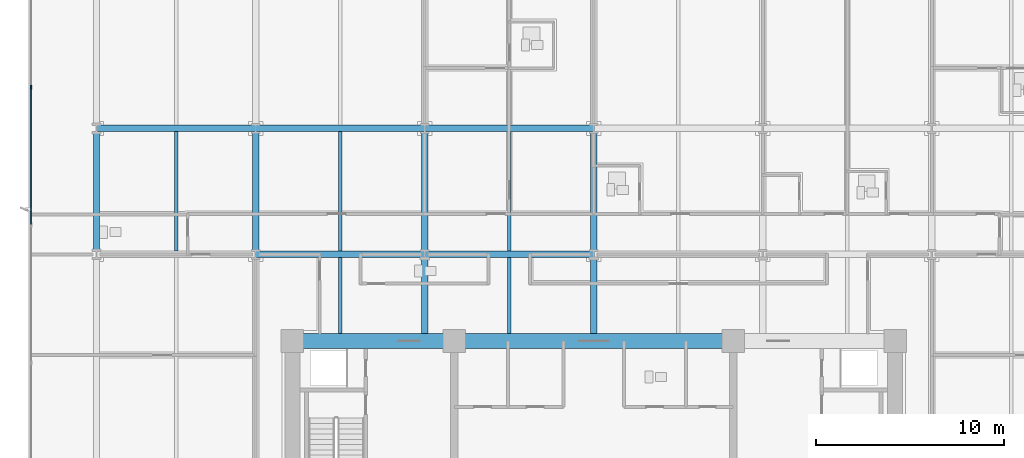
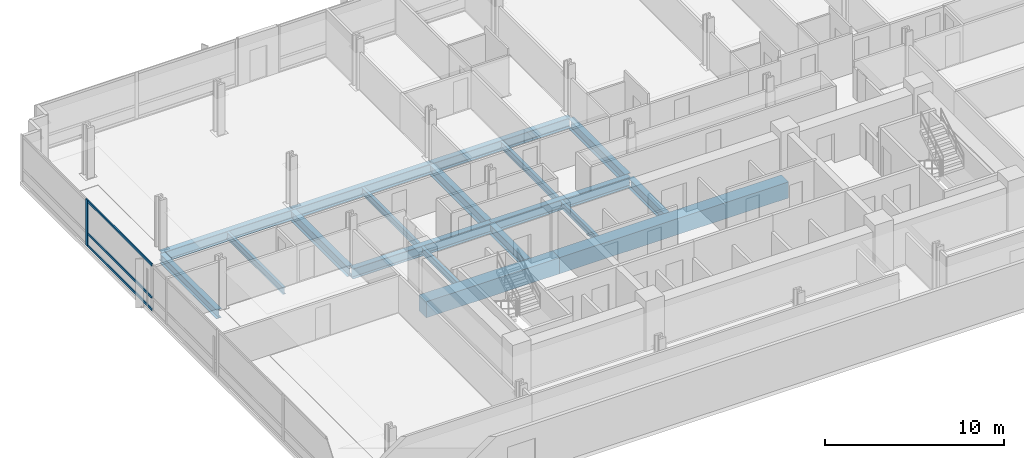
# One storey, part 3 of 17: 18 beams, 4 members, 1 element without a shape of its own.
"""IFC4 building model written with IfcOpenShell, lengths in metres."""

from ifc_helpers import new_model, si_unit, direction, frame, origin, origin_2d, place, context, subcontext, project, spatial, rectangle, i_section, extrude, material, material_profile, profile_set, type_object, element, aggregate, save


model = new_model("IFC4")

# Units and contexts
model_context = context("Model", 3, precision=1e-05, world=origin(), true_north=direction((0.0, 1.0)))
body_context = subcontext(model_context, "Body", "Model", "MODEL_VIEW")
ifc_project = project(units=[si_unit("LENGTHUNIT", "METRE"), si_unit("AREAUNIT", "SQUARE_METRE"), si_unit("VOLUMEUNIT", "CUBIC_METRE"), si_unit("PLANEANGLEUNIT", "RADIAN"), si_unit("MASSUNIT", "GRAM", prefix="KILO")], contexts=[model_context])

# Site, building, storey
site_placement = place(None, origin())
site = spatial("IfcSite", under=ifc_project, at=site_placement, CompositionType="ELEMENT")
building_placement = place(site_placement, origin())
building = spatial("IfcBuilding", under=site, at=building_placement, Name="Solmavex Isthmus Hotel", CompositionType="ELEMENT")
storey_placement = place(building_placement, frame((0.0, 0.0, 47.10009765625)))
storey = spatial("IfcBuildingStorey", under=building, at=storey_placement, Name="L12", CompositionType="ELEMENT", Elevation=47.10009765625)

# Beams
ifc_material_1 = material(Name="Steel ASTM A992 Grade 50", Category="steel")
ifc_material_profile_1 = material_profile(ifc_material_1, i_section(OverallWidth=0.354736328125, OverallDepth=0.695556640625, WebThickness=0.015380859375, FlangeThickness=0.02490234375, FilletRadius=0.017822265625, at=origin_2d()), Name="W27X146")
ifc_profile_set_1 = profile_set([ifc_material_profile_1], Name="Steel ASTM A992 Grade 50")
beam_type_1 = type_object("IfcBeamType", Name="BM-BG-W27X146", PredefinedType="BEAM", material=ifc_profile_set_1)
beam_1_placement = place(storey_placement, frame((-17.951904296875, 2.10009765625, -0.60791015625), z_axis=(1.0, 0.0, 0.0), x_axis=(0.0, 1.0, 0.0)))
element("IfcBeam", 1, at=beam_1_placement, inside=storey, type_object=beam_type_1, Name="Floor Girder L12-UG08", PredefinedType="BEAM", context=body_context, shape_type="SweptSolid", body=[
    extrude(i_section(OverallWidth=0.354736328125, OverallDepth=0.695556640625, WebThickness=0.015380859375, FlangeThickness=0.02490234375, FilletRadius=0.017822265625, at=origin_2d()), origin(), (0.0, 0.0, 1.0), 8.975830078125),
])
beam_2_placement = place(storey_placement, frame((-8.97607421875, 2.10009765625, -0.60791015625), z_axis=(1.0, 0.0, 0.0), x_axis=(0.0, 1.0, 0.0)))
element("IfcBeam", 2, at=beam_2_placement, inside=storey, type_object=beam_type_1, Name="Floor Girder L12-UG09", PredefinedType="BEAM", context=body_context, shape_type="SweptSolid", body=[
    extrude(i_section(OverallWidth=0.354736328125, OverallDepth=0.695556640625, WebThickness=0.015380859375, FlangeThickness=0.02490234375, FilletRadius=0.017822265625, at=origin_2d()), origin(), (0.0, 0.0, 1.0), 8.97607421875),
])
beam_3_placement = place(storey_placement, frame((-26.39990234375, 8.7880859375, -0.60791015625), z_axis=(1.0, 0.0, 0.0), x_axis=(0.0, 1.0, 0.0)))
element("IfcBeam", 3, at=beam_3_placement, inside=storey, type_object=beam_type_1, Name="Floor Girder L12-UG13", PredefinedType="BEAM", context=body_context, shape_type="SweptSolid", body=[
    extrude(i_section(OverallWidth=0.354736328125, OverallDepth=0.695556640625, WebThickness=0.015380859375, FlangeThickness=0.02490234375, FilletRadius=0.017822265625, at=origin_2d()), origin(), (0.0, 0.0, 1.0), 8.447998046875),
])
beam_4_placement = place(storey_placement, frame((-17.951904296875, 8.7880859375, -0.60791015625), z_axis=(1.0, 0.0, 0.0), x_axis=(0.0, 1.0, 0.0)))
element("IfcBeam", 4, at=beam_4_placement, inside=storey, type_object=beam_type_1, Name="Floor Girder L12-UG14", PredefinedType="BEAM", context=body_context, shape_type="SweptSolid", body=[
    extrude(i_section(OverallWidth=0.354736328125, OverallDepth=0.695556640625, WebThickness=0.015380859375, FlangeThickness=0.02490234375, FilletRadius=0.017822265625, at=origin_2d()), origin(), (0.0, 0.0, 1.0), 8.975830078125),
])
beam_5_placement = place(storey_placement, frame((-8.97607421875, 8.7880859375, -0.60791015625), z_axis=(1.0, 0.0, 0.0), x_axis=(0.0, 1.0, 0.0)))
element("IfcBeam", 5, at=beam_5_placement, inside=storey, type_object=beam_type_1, Name="Floor Girder L12-UG15", PredefinedType="BEAM", context=body_context, shape_type="SweptSolid", body=[
    extrude(i_section(OverallWidth=0.354736328125, OverallDepth=0.695556640625, WebThickness=0.015380859375, FlangeThickness=0.02490234375, FilletRadius=0.017822265625, at=origin_2d()), origin(), (0.0, 0.0, 1.0), 8.97607421875),
])
beam_6_placement = place(storey_placement, frame((-17.951904296875, 2.27734375, -0.60791015625), z_axis=(0.0, 1.0, 0.0), x_axis=(-1.0, 0.0, 0.0)))
element("IfcBeam", 6, at=beam_6_placement, inside=storey, type_object=beam_type_1, Name="Floor Beam L12-VG29", PredefinedType="BEAM", context=body_context, shape_type="SweptSolid", body=[
    extrude(i_section(OverallWidth=0.354736328125, OverallDepth=0.695556640625, WebThickness=0.015380859375, FlangeThickness=0.02490234375, FilletRadius=0.017822265625, at=origin_2d()), origin(), (0.0, 0.0, 1.0), 6.333251953125),
])
beam_7_placement = place(storey_placement, frame((-8.97607421875, -2.10009765625, -0.60791015625), z_axis=(0.0, 1.0, 0.0), x_axis=(-1.0, 0.0, 0.0)))
element("IfcBeam", 7, at=beam_7_placement, inside=storey, type_object=beam_type_1, Name="Floor Beam L12-VG32", PredefinedType="BEAM", context=body_context, shape_type="SweptSolid", body=[
    extrude(i_section(OverallWidth=0.354736328125, OverallDepth=0.695556640625, WebThickness=0.015380859375, FlangeThickness=0.02490234375, FilletRadius=0.017822265625, at=origin_2d()), origin(), (0.0, 0.0, 1.0), 4.022705078125),
])
beam_8_placement = place(storey_placement, frame((-8.97607421875, 2.27734375, -0.60791015625), z_axis=(0.0, 1.0, 0.0), x_axis=(-1.0, 0.0, 0.0)))
element("IfcBeam", 8, at=beam_8_placement, inside=storey, type_object=beam_type_1, Name="Floor Beam L12-VG33", PredefinedType="BEAM", context=body_context, shape_type="SweptSolid", body=[
    extrude(i_section(OverallWidth=0.354736328125, OverallDepth=0.695556640625, WebThickness=0.015380859375, FlangeThickness=0.02490234375, FilletRadius=0.017822265625, at=origin_2d()), origin(), (0.0, 0.0, 1.0), 6.333251953125),
])
beam_9_placement = place(storey_placement, frame((0.0, -2.10009765625, -0.60791015625), z_axis=(0.0, 1.0, 0.0), x_axis=(-1.0, 0.0, 0.0)))
element("IfcBeam", 9, at=beam_9_placement, inside=storey, type_object=beam_type_1, Name="Floor Beam L12-VG36", PredefinedType="BEAM", context=body_context, shape_type="SweptSolid", body=[
    extrude(i_section(OverallWidth=0.354736328125, OverallDepth=0.695556640625, WebThickness=0.015380859375, FlangeThickness=0.02490234375, FilletRadius=0.017822265625, at=origin_2d()), origin(), (0.0, 0.0, 1.0), 4.022705078125),
])
beam_10_placement = place(storey_placement, frame((0.0, 2.27734375, -0.60791015625), z_axis=(0.0, 1.0, 0.0), x_axis=(-1.0, 0.0, 0.0)))
element("IfcBeam", 10, at=beam_10_placement, inside=storey, type_object=beam_type_1, Name="Floor Beam L12-VG37", PredefinedType="BEAM", context=body_context, shape_type="SweptSolid", body=[
    extrude(i_section(OverallWidth=0.354736328125, OverallDepth=0.695556640625, WebThickness=0.015380859375, FlangeThickness=0.02490234375, FilletRadius=0.017822265625, at=origin_2d()), origin(), (0.0, 0.0, 1.0), 6.333251953125),
])
ifc_material_profile_2 = material_profile(ifc_material_1, i_section(OverallWidth=0.1904296875, OverallDepth=0.456787109375, WebThickness=0.009033203125, FlangeThickness=0.014404296875, FilletRadius=0.0126953125, at=origin_2d()), Name="W18X50")
ifc_profile_set_2 = profile_set([ifc_material_profile_2], Name="Steel ASTM A992 Grade 50")
beam_type_2 = type_object("IfcBeamType", Name="BM-BJ-W18X50", PredefinedType="JOIST", material=ifc_profile_set_2)
beam_11_placement = place(storey_placement, frame((-22.176025390625, 2.27734375, -0.488525390625), z_axis=(0.0, 1.0, 0.0), x_axis=(-1.0, 0.0, 0.0)))
element("IfcBeam", 11, at=beam_11_placement, inside=storey, type_object=beam_type_2, Name="Secondary Floor Joist L12-J02", PredefinedType="JOIST", context=body_context, shape_type="SweptSolid", body=[
    extrude(i_section(OverallWidth=0.1904296875, OverallDepth=0.456787109375, WebThickness=0.009033203125, FlangeThickness=0.014404296875, FilletRadius=0.0126953125, at=origin_2d()), origin(), (0.0, 0.0, 1.0), 6.333251953125),
])
beam_12_placement = place(storey_placement, frame((-13.464111328125, -2.10009765625, -0.488525390625), z_axis=(0.0, 1.0, 0.0), x_axis=(-1.0, 0.0, 0.0)))
element("IfcBeam", 12, at=beam_12_placement, inside=storey, type_object=beam_type_2, Name="Secondary Floor Joist L12-J05", PredefinedType="JOIST", context=body_context, shape_type="SweptSolid", body=[
    extrude(i_section(OverallWidth=0.1904296875, OverallDepth=0.456787109375, WebThickness=0.009033203125, FlangeThickness=0.014404296875, FilletRadius=0.0126953125, at=origin_2d()), origin(), (0.0, 0.0, 1.0), 4.022705078125),
])
beam_13_placement = place(storey_placement, frame((-13.464111328125, 2.27734375, -0.488525390625), z_axis=(0.0, 1.0, 0.0), x_axis=(-1.0, 0.0, 0.0)))
element("IfcBeam", 13, at=beam_13_placement, inside=storey, type_object=beam_type_2, Name="Secondary Floor Joist L12-J06", PredefinedType="JOIST", context=body_context, shape_type="SweptSolid", body=[
    extrude(i_section(OverallWidth=0.1904296875, OverallDepth=0.456787109375, WebThickness=0.009033203125, FlangeThickness=0.014404296875, FilletRadius=0.0126953125, at=origin_2d()), origin(), (0.0, 0.0, 1.0), 6.333251953125),
])
beam_14_placement = place(storey_placement, frame((-4.488037109375, -2.10009765625, -0.488525390625), z_axis=(0.0, 1.0, 0.0), x_axis=(-1.0, 0.0, 0.0)))
element("IfcBeam", 14, at=beam_14_placement, inside=storey, type_object=beam_type_2, Name="Secondary Floor Joist L12-J09", PredefinedType="JOIST", context=body_context, shape_type="SweptSolid", body=[
    extrude(i_section(OverallWidth=0.1904296875, OverallDepth=0.456787109375, WebThickness=0.009033203125, FlangeThickness=0.014404296875, FilletRadius=0.0126953125, at=origin_2d()), origin(), (0.0, 0.0, 1.0), 4.022705078125),
])
beam_15_placement = place(storey_placement, frame((-4.488037109375, 2.27734375, -0.488525390625), z_axis=(0.0, 1.0, 0.0), x_axis=(-1.0, 0.0, 0.0)))
element("IfcBeam", 15, at=beam_15_placement, inside=storey, type_object=beam_type_2, Name="Secondary Floor Joist L12-J10", PredefinedType="JOIST", context=body_context, shape_type="SweptSolid", body=[
    extrude(i_section(OverallWidth=0.1904296875, OverallDepth=0.456787109375, WebThickness=0.009033203125, FlangeThickness=0.014404296875, FilletRadius=0.0126953125, at=origin_2d()), origin(), (0.0, 0.0, 1.0), 6.333251953125),
])
ifc_material_2 = material(Name="Concrete C70/85", Category="concrete")
ifc_material_profile_3 = material_profile(ifc_material_2, rectangle(XDim=0.800048828125, YDim=1.10009765625, at=origin_2d()), Name="RC800X1100")
ifc_profile_set_3 = profile_set([ifc_material_profile_3], Name="Concrete C70/85")
beam_type_3 = type_object("IfcBeamType", Name="BM-CB-800X1100", PredefinedType="BEAM", material=ifc_profile_set_3)
beam_16_placement = place(storey_placement, frame((-16.0, -2.5, -0.81005859375), z_axis=(1.0, 0.0, 0.0), x_axis=(0.0, 1.0, 0.0)))
element("IfcBeam", 16, at=beam_16_placement, inside=storey, type_object=beam_type_3, Name="Core Coupling Beam L12-CB4", PredefinedType="BEAM", context=body_context, shape_type="SweptSolid", body=[
    extrude(rectangle(XDim=0.800048828125, YDim=1.10009765625, at=origin_2d()), origin(), (0.0, 0.0, 1.0), 8.60009765625),
])
beam_17_placement = place(storey_placement, frame((-7.39990234375, -2.5, -0.81005859375), z_axis=(1.0, 0.0, 0.0), x_axis=(0.0, 1.0, 0.0)))
element("IfcBeam", 17, at=beam_17_placement, inside=storey, type_object=beam_type_3, Name="Core Coupling Beam L12-CB5", PredefinedType="BEAM", context=body_context, shape_type="SweptSolid", body=[
    extrude(rectangle(XDim=0.800048828125, YDim=1.10009765625, at=origin_2d()), origin(), (0.0, 0.0, 1.0), 14.7998046875),
])
ifc_material_profile_4 = material_profile(ifc_material_1, i_section(OverallWidth=0.326416015625, OverallDepth=0.621826171875, WebThickness=0.015380859375, FlangeThickness=0.0244140625, FilletRadius=0.01513671875, at=origin_2d()), Name="W24X131")
ifc_profile_set_4 = profile_set([ifc_material_profile_4], Name="Steel ASTM A992 Grade 50")
beam_type_4 = type_object("IfcBeamType", Name="BM-SP-W24X131", PredefinedType="SPANDREL", material=ifc_profile_set_4)
beam_18_placement = place(storey_placement, frame((-26.39990234375, 2.27734375, -0.571044921875), z_axis=(0.0, 1.0, 0.0), x_axis=(-1.0, 0.0, 0.0)))
element("IfcBeam", 18, at=beam_18_placement, inside=storey, type_object=beam_type_4, Name="Floor Beam L12-VG26", PredefinedType="SPANDREL", context=body_context, shape_type="SweptSolid", body=[
    extrude(i_section(OverallWidth=0.326416015625, OverallDepth=0.621826171875, WebThickness=0.015380859375, FlangeThickness=0.0244140625, FilletRadius=0.01513671875, at=origin_2d()), origin(), (0.0, 0.0, 1.0), 6.333251953125),
])

# Curtain wall, members
ifc_material_3 = material(Name="Aluminium alloy 6063-T6", Category="aluminium")
curtain_wall_type = type_object("IfcCurtainWallType", Name="CW-SYS-02", PredefinedType="NOTDEFINED", material=ifc_material_3)
curtain_wall_placement = place(storey_placement, origin())
curtain_wall = element("IfcCurtainWall", 19, at=curtain_wall_placement, inside=storey, type_object=curtain_wall_type, Name="Stick Curtain Wall CWL-L12-W1", PredefinedType="NOTDEFINED")
ifc_material_profile_5 = material_profile(ifc_material_3, rectangle(XDim=0.074951171875, YDim=0.219970703125, at=origin_2d()), Name="CWM-75X220")
ifc_profile_set_5 = profile_set([ifc_material_profile_5], Name="Aluminium alloy 6063-T6")
member_type_1 = type_object("IfcMemberType", Name="CW-SYS-02-MUL", PredefinedType="MULLION", material=ifc_profile_set_5)
member_1_placement = place(storey_placement, frame((-29.8798828125, 10.97998046875, 0.0), z_axis=(0.0, 0.0, 1.0), x_axis=(-1.0, 0.0, 0.0)))
member_1 = element("IfcMember", 20, at=member_1_placement, type_object=member_type_1, Name="CW-02 mullion 5", PredefinedType="MULLION", context=body_context, shape_type="SweptSolid", body=[
    extrude(rectangle(XDim=0.074951171875, YDim=0.219970703125, at=origin_2d()), origin(), (0.0, 0.0, 1.0), 3.18994140625),
])
ifc_material_profile_6 = material_profile(ifc_material_3, rectangle(XDim=0.074951171875, YDim=0.159912109375, at=origin_2d()), Name="CWT-75X160")
ifc_profile_set_6 = profile_set([ifc_material_profile_6], Name="Aluminium alloy 6063-T6")
member_type_2 = type_object("IfcMemberType", Name="CW-SYS-02-TRN", PredefinedType="USERDEFINED", material=ifc_profile_set_6)
member_2_placement = place(storey_placement, frame((-29.8798828125, 3.697509765625, 0.079833984375), z_axis=(0.0, 1.0, 0.0), x_axis=(-1.0, 0.0, 0.0)))
member_2 = element("IfcMember", 21, at=member_2_placement, type_object=member_type_2, Name="CW-02 transom 4.1", ObjectType="TRANSOM", PredefinedType="USERDEFINED", context=body_context, shape_type="SweptSolid", body=[
    extrude(rectangle(XDim=0.074951171875, YDim=0.159912109375, at=origin_2d()), origin(), (0.0, 0.0, 1.0), 7.244873046875),
])
member_3_placement = place(storey_placement, frame((-29.8798828125, 3.697509765625, 0.89990234375), z_axis=(0.0, 1.0, 0.0), x_axis=(-1.0, 0.0, 0.0)))
member_3 = element("IfcMember", 22, at=member_3_placement, type_object=member_type_2, Name="CW-02 transom 4.2", ObjectType="TRANSOM", PredefinedType="USERDEFINED", context=body_context, shape_type="SweptSolid", body=[
    extrude(rectangle(XDim=0.074951171875, YDim=0.159912109375, at=origin_2d()), origin(), (0.0, 0.0, 1.0), 7.244873046875),
])
member_4_placement = place(storey_placement, frame((-29.8798828125, 3.697509765625, 3.10986328125), z_axis=(0.0, 1.0, 0.0), x_axis=(-1.0, 0.0, 0.0)))
member_4 = element("IfcMember", 23, at=member_4_placement, type_object=member_type_2, Name="CW-02 transom 4.3", ObjectType="TRANSOM", PredefinedType="USERDEFINED", context=body_context, shape_type="SweptSolid", body=[
    extrude(rectangle(XDim=0.074951171875, YDim=0.159912109375, at=origin_2d()), origin(), (0.0, 0.0, 1.0), 7.244873046875),
])
aggregate(curtain_wall, [member_1, member_2, member_3, member_4])

save(model, "model.ifc")
